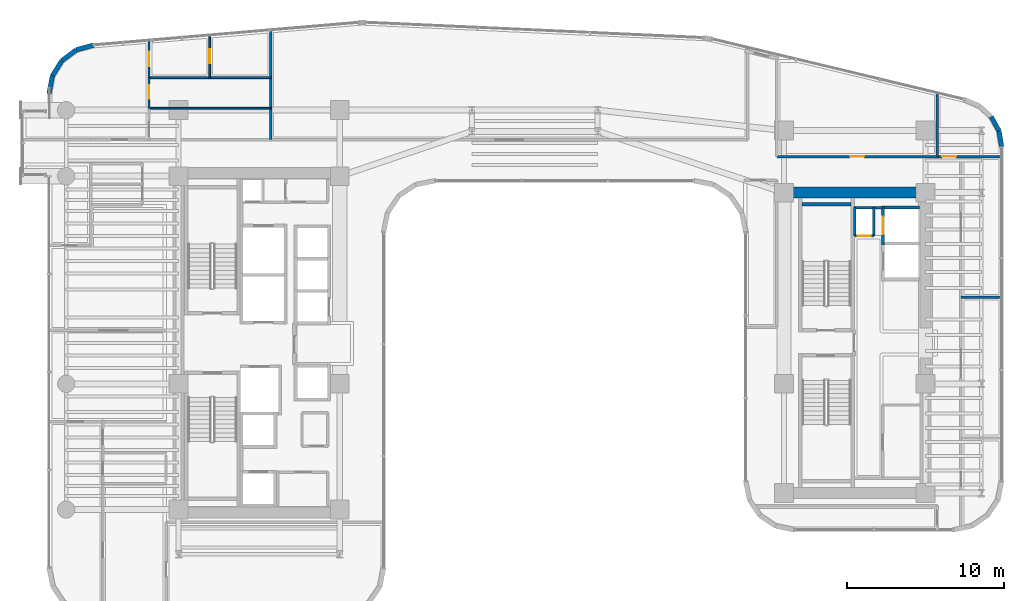
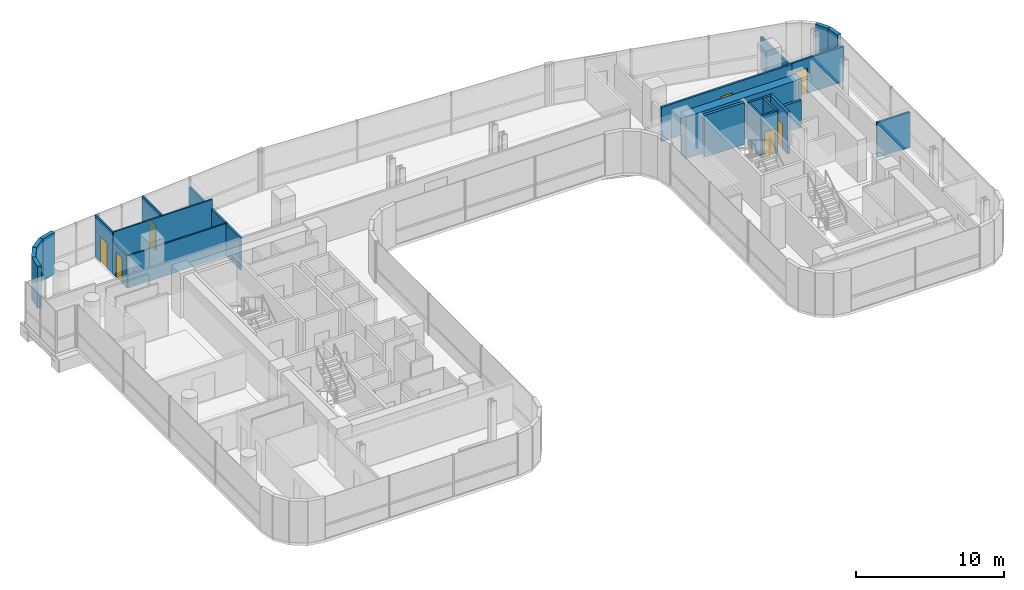
# One storey, part 30 of 35: 24 walls, 7 doors, 7 openings.
"""IFC4 building model written with IfcOpenShell, lengths in metres."""

from ifc_helpers import new_model, si_unit, direction, frame, frame_2d, origin, place, context, subcontext, project, spatial, rectangle, extrude, material, layer, layer_set, type_object, element, fill, save


model = new_model("IFC4")

# Units and contexts
model_context = context("Model", 3, precision=1e-05, world=origin(), true_north=direction((0.0, 1.0)))
body_context = subcontext(model_context, "Body", "Model", "MODEL_VIEW")
ifc_project = project(units=[si_unit("LENGTHUNIT", "METRE"), si_unit("AREAUNIT", "SQUARE_METRE"), si_unit("VOLUMEUNIT", "CUBIC_METRE"), si_unit("PLANEANGLEUNIT", "RADIAN"), si_unit("MASSUNIT", "GRAM", prefix="KILO")], contexts=[model_context])

# Site, building, storey
site_placement = place(None, origin())
site = spatial("IfcSite", under=ifc_project, at=site_placement, CompositionType="ELEMENT")
building_placement = place(site_placement, origin())
building = spatial("IfcBuilding", under=site, at=building_placement, Name="Valdorenza Pilgrim Sanctuary Tower", CompositionType="ELEMENT")
storey_placement = place(building_placement, frame((0.0, 0.0, 150.10009765625)))
storey = spatial("IfcBuildingStorey", under=building, at=storey_placement, Name="L38", CompositionType="ELEMENT", Elevation=150.10009765625)

# Wall, opening, door
ifc_material_1 = material(Name="Acoustic twin-stud gypsum partition", Category="gypsum")
ifc_layer_1 = layer(ifc_material_1, 0.159912109375, Name="Acoustic twin-stud gypsum partition")
ifc_layer_set_1 = layer_set([ifc_layer_1], Name="Acoustic twin-stud gypsum partition")
wall_type_1 = type_object("IfcWallType", Name="WAL-COR-160", PredefinedType="PARTITIONING", material=ifc_layer_set_1)
wall_1_placement = place(storey_placement, frame((20.35009765625, 6.800048828125, 0.0), z_axis=(0.0, 0.0, 1.0), x_axis=(1.0, 0.0, 0.0)))
wall_1 = element("IfcWall", 1, at=wall_1_placement, inside=storey, type_object=wall_type_1, Name="L38 Core B Riser South Wall", PredefinedType="PARTITIONING", context=body_context, shape_type="SweptSolid", body=[
    extrude(rectangle(XDim=1.199951171875, YDim=0.159912109375, at=frame_2d((0.60009765625, 0.0))), origin(), (0.0, 0.0, 1.0), 3.4599609375),
])
opening_1_placement = place(wall_1_placement, frame((0.175048828125, 0.0, 0.0)))
opening_1 = element("IfcOpeningElement", 2, at=opening_1_placement, cuts=wall_1, Name="Opening DR-RS1", PredefinedType="OPENING", context=body_context, shape_type="SweptSolid", body=[
    extrude(rectangle(XDim=0.85009765625, YDim=2.050048828125, at=frame_2d((0.425048828125, 1.02490234375))), frame((0.0, 0.0947265625, 0.0), z_axis=(0.0, -1.0, 0.0), x_axis=(1.0, 0.0, 0.0)), (0.0, 0.0, 1.0), 0.189697265625),
])
ifc_material_2 = material(Name="Painted galvanized steel", Category="steel")
door_type_1 = type_object("IfcDoorType", Name="DR-RSR-850", OperationType="NOTDEFINED", PredefinedType="DOOR", material=ifc_material_2)
door_1_placement = place(opening_1_placement, origin())
door_1 = element("IfcDoor", 3, at=door_1_placement, inside=storey, type_object=door_type_1, Name="L38 Core B Electrical Riser Door", OperationType="SINGLE_SWING_LEFT", OverallHeight=2.050048828125, OverallWidth=0.85009765625, PredefinedType="DOOR", context=body_context, shape_type="SweptSolid", body=[
    extrude(rectangle(XDim=0.85009765625, YDim=2.050048828125, at=frame_2d((0.425048828125, 1.02490234375))), frame((0.0, 0.02490234375, 0.0), z_axis=(0.0, -1.0, 0.0), x_axis=(1.0, 0.0, 0.0)), (0.0, 0.0, 1.0), 0.050048828125),
])
fill(opening_1, door_1)

# Walls
for number, where, z_axis, x_axis, name in (
    (4, (21.550048828125, 6.800048828125, 0.0), (0.0, 0.0, 1.0), (0.0, 1.0, 0.0), "L38 Core B Riser East Wall"),
    (5, (20.35009765625, 6.800048828125, 0.0), (0.0, 0.0, 1.0), (0.0, 1.0, 0.0), "L38 Core B Riser West Wall"),
):
    element("IfcWall", number, at=place(storey_placement, frame(where, z_axis=z_axis, x_axis=x_axis)), inside=storey, type_object=wall_type_1, Name=name, PredefinedType="PARTITIONING", context=body_context, shape_type="SweptSolid", body=[
        extrude(rectangle(XDim=1.800048828125, YDim=0.159912109375, at=frame_2d((0.89990234375, 0.0))), origin(), (0.0, 0.0, 1.0), 3.4599609375),
    ])
wall_2_placement = place(storey_placement, frame((20.300048828125, 8.60009765625, 0.0), z_axis=(0.0, 0.0, 1.0), x_axis=(1.0, 0.0, 0.0)))
element("IfcWall", 6, at=wall_2_placement, inside=storey, type_object=wall_type_1, Name="L38 Core B Lift Hall North End Wall", PredefinedType="PARTITIONING", context=body_context, shape_type="SweptSolid", body=[
    extrude(rectangle(XDim=1.820068359375, YDim=0.159912109375, at=frame_2d((0.91015625, 0.0))), origin(), (0.0, 0.0, 1.0), 3.4599609375),
])

# Wall, opening, door
wall_3_placement = place(storey_placement, frame((15.39990234375, 11.85009765625, 0.0), z_axis=(0.0, 0.0, 1.0), x_axis=(1.0, 0.0, 0.0)))
wall_3 = element("IfcWall", 7, at=wall_3_placement, inside=storey, type_object=wall_type_1, Name="L38 Wing B North Corridor Wall", PredefinedType="PARTITIONING", context=body_context, shape_type="SweptSolid", body=[
    extrude(rectangle(XDim=10.2001953125, YDim=0.159912109375, at=frame_2d((5.10009765625, 0.0))), origin(), (0.0, 0.0, 1.0), 2.833984375),
])
opening_2_placement = place(wall_3_placement, frame((4.64990234375, 0.0, 0.0)))
opening_2 = element("IfcOpeningElement", 8, at=opening_2_placement, cuts=wall_3, Name="Opening DR-RM1", PredefinedType="OPENING", context=body_context, shape_type="SweptSolid", body=[
    extrude(rectangle(XDim=0.89990234375, YDim=2.10009765625, at=frame_2d((0.449951171875, 1.050048828125))), frame((0.0, 0.0947265625, 0.0), z_axis=(0.0, -1.0, 0.0), x_axis=(1.0, 0.0, 0.0)), (0.0, 0.0, 1.0), 0.189697265625),
])
ifc_material_3 = material(Name="Solid-core European oak timber", Category="wood")
door_type_2 = type_object("IfcDoorType", Name="DR-ROOM-900", OperationType="NOTDEFINED", PredefinedType="DOOR", material=ifc_material_3)
door_2_placement = place(opening_2_placement, origin())
door_2 = element("IfcDoor", 9, at=door_2_placement, inside=storey, type_object=door_type_2, Name="L38 Curator Research Office L38-BN1 Door", OperationType="SINGLE_SWING_RIGHT", OverallHeight=2.10009765625, OverallWidth=0.89990234375, PredefinedType="DOOR", context=body_context, shape_type="SweptSolid", body=[
    extrude(rectangle(XDim=0.89990234375, YDim=2.10009765625, at=frame_2d((0.449951171875, 1.050048828125))), frame((0.0, 0.02490234375, 0.0), z_axis=(0.0, -1.0, 0.0), x_axis=(1.0, 0.0, 0.0)), (0.0, 0.0, 1.0), 0.050048828125),
])
fill(opening_2, door_2)

# Wall
wall_4_placement = place(storey_placement, frame((25.60009765625, 11.85009765625, 0.0), z_axis=(0.0, 0.0, 1.0), x_axis=(0.0, 1.0, 0.0)))
element("IfcWall", 10, at=wall_4_placement, inside=storey, type_object=wall_type_1, Name="L38 Wing B North East Wall", PredefinedType="PARTITIONING", context=body_context, shape_type="SweptSolid", body=[
    extrude(rectangle(XDim=4.042236328125, YDim=0.159912109375, at=frame_2d((2.02099609375, 0.0))), origin(), (0.0, 0.0, 1.0), 2.666015625),
])

# Wall, opening, door
wall_5_placement = place(storey_placement, frame((25.60009765625, 11.85009765625, 0.0), z_axis=(0.0, 0.0, 1.0), x_axis=(1.0, 0.0, 0.0)))
wall_5 = element("IfcWall", 11, at=wall_5_placement, inside=storey, type_object=wall_type_1, Name="L38 East Wing NE Corner South Wall", PredefinedType="PARTITIONING", context=body_context, shape_type="SweptSolid", body=[
    extrude(rectangle(XDim=4.08984375, YDim=0.159912109375, at=frame_2d((2.044921875, 0.0))), origin(), (0.0, 0.0, 1.0), 2.89599609375),
])
opening_3_placement = place(wall_5_placement, frame((0.300048828125, 0.0, 0.0)))
opening_3 = element("IfcOpeningElement", 12, at=opening_3_placement, cuts=wall_5, Name="Opening DR-RM1", PredefinedType="OPENING", context=body_context, shape_type="SweptSolid", body=[
    extrude(rectangle(XDim=0.89990234375, YDim=2.10009765625, at=frame_2d((0.449951171875, 1.050048828125))), frame((0.0, 0.0947265625, 0.0), z_axis=(0.0, -1.0, 0.0), x_axis=(1.0, 0.0, 0.0)), (0.0, 0.0, 1.0), 0.189697265625),
])
door_3_placement = place(opening_3_placement, origin())
door_3 = element("IfcDoor", 13, at=door_3_placement, inside=storey, type_object=door_type_2, Name="L38 East North Alcove Office L38 Door", OperationType="SINGLE_SWING_RIGHT", OverallHeight=2.10009765625, OverallWidth=0.89990234375, PredefinedType="DOOR", context=body_context, shape_type="SweptSolid", body=[
    extrude(rectangle(XDim=0.89990234375, YDim=2.10009765625, at=frame_2d((0.449951171875, 1.050048828125))), frame((0.0, 0.02490234375, 0.0), z_axis=(0.0, -1.0, 0.0), x_axis=(1.0, 0.0, 0.0)), (0.0, 0.0, 1.0), 0.050048828125),
])
fill(opening_3, door_3)

# Walls
ifc_material_4 = material(Name="Concrete C60/75", Category="concrete")
ifc_layer_2 = layer(ifc_material_4, 0.699951171875, Name="Concrete C60/75")
ifc_layer_set_2 = layer_set([ifc_layer_2], Name="Concrete C60/75")
wall_type_2 = type_object("IfcWallType", Name="WAL-COR-700", PredefinedType="SHEAR", material=ifc_layer_set_2)
wall_6_placement = place(storey_placement, frame((15.85009765625, 9.550048828125, 0.0), z_axis=(0.0, 0.0, 1.0), x_axis=(1.0, 0.0, 0.0)))
element("IfcWall", 14, at=wall_6_placement, inside=storey, type_object=wall_type_2, Name="L38 Split Core B Shear Wall N", PredefinedType="SHEAR", context=body_context, shape_type="SweptSolid", body=[
    extrude(rectangle(XDim=9.0, YDim=0.699951171875, at=frame_2d((4.5, 0.0))), origin(), (0.0, 0.0, 1.0), 3.4599609375),
])
ifc_material_5 = material(Name="Honed travertine limestone", Category="masonry")
ifc_layer_3 = layer(ifc_material_5, 0.300048828125, Name="Honed travertine limestone")
ifc_layer_set_3 = layer_set([ifc_layer_3], Name="Honed travertine limestone")
wall_type_3 = type_object("IfcWallType", Name="WAL-EXT-300", PredefinedType="SOLIDWALL", material=ifc_layer_set_3)
wall_7_placement = place(storey_placement, frame((-30.889892578125, 15.850341796875, 0.0), z_axis=(0.0, 0.0, 1.0), x_axis=(0.184557499391, 0.982821718023, 0.0)))
element("IfcWall", 15, at=wall_7_placement, inside=storey, type_object=wall_type_3, Name="L38 Rounded Wind-Corner Stone Pier 2", PredefinedType="SOLIDWALL", context=body_context, shape_type="SweptSolid", body=[
    extrude(rectangle(XDim=1.15087890625, YDim=0.300048828125, at=frame_2d((0.575439453125, 0.0))), origin(), (0.0, 0.0, 1.0), 3.4599609375),
])
wall_8_placement = place(storey_placement, frame((-30.677490234375, 16.9814453125, 0.0), z_axis=(0.0, 0.0, 1.0), x_axis=(0.52880576008, 0.848742875143, 0.0)))
element("IfcWall", 16, at=wall_8_placement, inside=storey, type_object=wall_type_3, Name="L38 Rounded Wind-Corner Stone Pier 3", PredefinedType="SOLIDWALL", context=body_context, shape_type="SweptSolid", body=[
    extrude(rectangle(XDim=1.140869140625, YDim=0.300048828125, at=frame_2d((0.5703125, 0.0))), origin(), (0.0, 0.0, 1.0), 3.4599609375),
])
wall_9_placement = place(storey_placement, frame((-30.07421875, 17.94970703125, 0.0), z_axis=(0.0, 0.0, 1.0), x_axis=(0.800975009324, 0.598697782223, 0.0)))
element("IfcWall", 17, at=wall_9_placement, inside=storey, type_object=wall_type_3, Name="L38 Rounded Wind-Corner Stone Pier 4", PredefinedType="SOLIDWALL", context=body_context, shape_type="SweptSolid", body=[
    extrude(rectangle(XDim=1.140625, YDim=0.300048828125, at=frame_2d((0.5703125, 0.0))), origin(), (0.0, 0.0, 1.0), 3.4599609375),
])
wall_10_placement = place(storey_placement, frame((-29.16064453125, 18.632568359375, 0.0), z_axis=(0.0, 0.0, 1.0), x_axis=(0.963624193367, 0.267260947313, 0.0)))
element("IfcWall", 18, at=wall_10_placement, inside=storey, type_object=wall_type_3, Name="L38 Rounded Wind-Corner Stone Pier 5", PredefinedType="SOLIDWALL", context=body_context, shape_type="SweptSolid", body=[
    extrude(rectangle(XDim=1.15087890625, YDim=0.300048828125, at=frame_2d((0.575439453125, 0.0))), origin(), (0.0, 0.0, 1.0), 3.4599609375),
])
wall_11_placement = place(storey_placement, frame((29.024658203125, 14.388427734375, 0.0), z_axis=(0.0, 0.0, 1.0), x_axis=(0.480284137298, -0.87711296163, 0.0)))
element("IfcWall", 19, at=wall_11_placement, inside=storey, type_object=wall_type_3, Name="L38 Rounded Wind-Corner Stone Pier 19", PredefinedType="SOLIDWALL", context=body_context, shape_type="SweptSolid", body=[
    extrude(rectangle(XDim=1.02685546875, YDim=0.300048828125, at=frame_2d((0.513427734375, 0.0))), origin(), (0.0, 0.0, 1.0), 3.4599609375),
])
wall_12_placement = place(storey_placement, frame((29.517822265625, 13.48779296875, 0.0), z_axis=(0.0, 0.0, 1.0), x_axis=(0.166156796952, -0.986099345313, 0.0)))
element("IfcWall", 20, at=wall_12_placement, inside=storey, type_object=wall_type_3, Name="L38 Rounded Wind-Corner Stone Pier 20", PredefinedType="SOLIDWALL", context=body_context, shape_type="SweptSolid", body=[
    extrude(rectangle(XDim=1.035888671875, YDim=0.300048828125, at=frame_2d((0.51806640625, 0.0))), origin(), (0.0, 0.0, 1.0), 3.4599609375),
])
ifc_material_6 = material(Name="Moisture-resistant gypsum partition", Category="gypsum")
ifc_layer_4 = layer(ifc_material_6, 0.1201171875, Name="Moisture-resistant gypsum partition")
ifc_layer_set_4 = layer_set([ifc_layer_4], Name="Moisture-resistant gypsum partition")
wall_type_4 = type_object("IfcWallType", Name="WAL-INT-120", PredefinedType="PARTITIONING", material=ifc_layer_set_4)
wall_13_placement = place(storey_placement, frame((-24.532958984375, 14.919921875, 0.0), z_axis=(0.0, 0.0, 1.0), x_axis=(1.0, 0.0, 0.0)))
element("IfcWall", 21, at=wall_13_placement, inside=storey, type_object=wall_type_4, Name="L38 North Grand Residence L38-N1 Bath-Kitchen Wall", PredefinedType="PARTITIONING", context=body_context, shape_type="SweptSolid", body=[
    extrude(rectangle(XDim=7.73291015625, YDim=0.1201171875, at=frame_2d((3.866455078125, 0.0))), origin(), (0.0, 0.0, 1.0), 2.666015625),
])
wall_14_placement = place(storey_placement, frame((-24.532958984375, 16.8701171875, 0.0), z_axis=(0.0, 0.0, 1.0), x_axis=(1.0, 0.0, 0.0)))
element("IfcWall", 22, at=wall_14_placement, inside=storey, type_object=wall_type_4, Name="L38 North Grand Residence L38-N1 Kitchen-Bedroom Wall", PredefinedType="PARTITIONING", context=body_context, shape_type="SweptSolid", body=[
    extrude(rectangle(XDim=7.73291015625, YDim=0.1201171875, at=frame_2d((3.866455078125, 0.0))), origin(), (0.0, 0.0, 1.0), 3.4599609375),
])

# Wall, opening, door
wall_15_placement = place(storey_placement, frame((-24.532958984375, 14.919921875, 0.0), z_axis=(0.0, 0.0, 1.0), x_axis=(0.0, 1.0, 0.0)))
wall_15 = element("IfcWall", 23, at=wall_15_placement, inside=storey, type_object=wall_type_4, Name="L38 North Grand Residence L38-N1 Bathroom Door Wall", PredefinedType="PARTITIONING", context=body_context, shape_type="SweptSolid", body=[
    extrude(rectangle(XDim=1.9501953125, YDim=0.1201171875, at=frame_2d((0.97509765625, 0.0))), origin(), (0.0, 0.0, 1.0), 2.666015625),
])
opening_4_placement = place(wall_15_placement, frame((0.6201171875, 0.0, 0.0)))
opening_4 = element("IfcOpeningElement", 24, at=opening_4_placement, cuts=wall_15, Name="Opening DR-WC1", PredefinedType="OPENING", context=body_context, shape_type="SweptSolid", body=[
    extrude(rectangle(XDim=0.85009765625, YDim=2.10009765625, at=frame_2d((0.425048828125, 1.050048828125))), frame((0.0, 0.074951171875, 0.0), z_axis=(0.0, -1.0, 0.0), x_axis=(1.0, 0.0, 0.0)), (0.0, 0.0, 1.0), 0.14990234375),
])
ifc_material_7 = material(Name="Moisture-resistant lacquered timber", Category="wood")
door_type_3 = type_object("IfcDoorType", Name="DR-BATH-850", OperationType="NOTDEFINED", PredefinedType="DOOR", material=ifc_material_7)
door_4_placement = place(opening_4_placement, origin())
door_4 = element("IfcDoor", 25, at=door_4_placement, inside=storey, type_object=door_type_3, Name="L38 North Grand Residence L38-N1 Bathroom Door", OperationType="SINGLE_SWING_LEFT", OverallHeight=2.10009765625, OverallWidth=0.85009765625, PredefinedType="DOOR", context=body_context, shape_type="SweptSolid", body=[
    extrude(rectangle(XDim=0.85009765625, YDim=2.10009765625, at=frame_2d((0.425048828125, 1.050048828125))), frame((0.0, 0.02490234375, 0.0), z_axis=(0.0, -1.0, 0.0), x_axis=(1.0, 0.0, 0.0)), (0.0, 0.0, 1.0), 0.050048828125),
])
fill(opening_4, door_4)

wall_16_placement = place(storey_placement, frame((-24.532958984375, 16.8701171875, 0.0), z_axis=(0.0, 0.0, 1.0), x_axis=(0.0, 1.0, 0.0)))
wall_16 = element("IfcWall", 26, at=wall_16_placement, inside=storey, type_object=wall_type_4, Name="L38 North Grand Residence L38-N1 Bedroom Door Wall", PredefinedType="PARTITIONING", context=body_context, shape_type="SweptSolid", body=[
    extrude(rectangle(XDim=2.369140625, YDim=0.1201171875, at=frame_2d((1.1845703125, 0.0))), origin(), (0.0, 0.0, 1.0), 3.4599609375),
])
opening_5_placement = place(wall_16_placement, frame((0.735107421875, 0.0, 0.0)))
opening_5 = element("IfcOpeningElement", 27, at=opening_5_placement, cuts=wall_16, Name="Opening DR-RM1", PredefinedType="OPENING", context=body_context, shape_type="SweptSolid", body=[
    extrude(rectangle(XDim=0.89990234375, YDim=2.10009765625, at=frame_2d((0.449951171875, 1.050048828125))), frame((0.0, 0.074951171875, 0.0), z_axis=(0.0, -1.0, 0.0), x_axis=(1.0, 0.0, 0.0)), (0.0, 0.0, 1.0), 0.14990234375),
])
door_5_placement = place(opening_5_placement, frame((0.89990234375, 0.0, 0.0), z_axis=(0.0, 0.0, 1.0), x_axis=(-1.0, 0.0, 0.0)))
door_5 = element("IfcDoor", 28, at=door_5_placement, inside=storey, type_object=door_type_2, Name="L38 North Grand Residence L38-N1 Bedroom 1 Door", OperationType="SINGLE_SWING_LEFT", OverallHeight=2.10009765625, OverallWidth=0.89990234375, PredefinedType="DOOR", context=body_context, shape_type="SweptSolid", body=[
    extrude(rectangle(XDim=0.89990234375, YDim=2.10009765625, at=frame_2d((0.449951171875, 1.050048828125))), frame((0.0, 0.02490234375, 0.0), z_axis=(0.0, -1.0, 0.0), x_axis=(1.0, 0.0, 0.0)), (0.0, 0.0, 1.0), 0.050048828125),
])
fill(opening_5, door_5)

wall_17_placement = place(storey_placement, frame((-20.66650390625, 16.8701171875, 0.0), z_axis=(0.0, 0.0, 1.0), x_axis=(0.0, 1.0, 0.0)))
wall_17 = element("IfcWall", 29, at=wall_17_placement, inside=storey, type_object=wall_type_4, Name="L38 North Grand Residence L38-N1 Bedroom 2 Wall", PredefinedType="PARTITIONING", context=body_context, shape_type="SweptSolid", body=[
    extrude(rectangle(XDim=2.697998046875, YDim=0.1201171875, at=frame_2d((1.34912109375, 0.0))), origin(), (0.0, 0.0, 1.0), 3.4599609375),
])
opening_6_placement = place(wall_17_placement, frame((0.89990234375, 0.0, 0.0)))
opening_6 = element("IfcOpeningElement", 30, at=opening_6_placement, cuts=wall_17, Name="Opening DR-RM1", PredefinedType="OPENING", context=body_context, shape_type="SweptSolid", body=[
    extrude(rectangle(XDim=0.89990234375, YDim=2.10009765625, at=frame_2d((0.449951171875, 1.050048828125))), frame((0.0, 0.074951171875, 0.0), z_axis=(0.0, -1.0, 0.0), x_axis=(1.0, 0.0, 0.0)), (0.0, 0.0, 1.0), 0.14990234375),
])
door_6_placement = place(opening_6_placement, origin())
door_6 = element("IfcDoor", 31, at=door_6_placement, inside=storey, type_object=door_type_2, Name="L38 North Grand Residence L38-N1 Bedroom 2 Door", OperationType="SINGLE_SWING_RIGHT", OverallHeight=2.10009765625, OverallWidth=0.89990234375, PredefinedType="DOOR", context=body_context, shape_type="SweptSolid", body=[
    extrude(rectangle(XDim=0.89990234375, YDim=2.10009765625, at=frame_2d((0.449951171875, 1.050048828125))), frame((0.0, 0.02490234375, 0.0), z_axis=(0.0, -1.0, 0.0), x_axis=(1.0, 0.0, 0.0)), (0.0, 0.0, 1.0), 0.050048828125),
])
fill(opening_6, door_6)

ifc_material_8 = material(Name="Autoclaved aerated concrete blockwork", Category="masonry")
ifc_layer_5 = layer(ifc_material_8, 0.199951171875, Name="Autoclaved aerated concrete blockwork")
ifc_layer_set_5 = layer_set([ifc_layer_5], Name="Autoclaved aerated concrete blockwork")
wall_type_5 = type_object("IfcWallType", Name="WAL-SHF-200", PredefinedType="MOVABLE", material=ifc_layer_set_5)
wall_18_placement = place(storey_placement, frame((22.14990234375, 6.22509765625, 0.0), z_axis=(0.0, 0.0, 1.0), x_axis=(0.0, 1.0, 0.0)))
wall_18 = element("IfcWall", 32, at=wall_18_placement, inside=storey, type_object=wall_type_5, Name="L38 Lift PL-08 Hoistway Wall West", PredefinedType="MOVABLE", context=body_context, shape_type="SweptSolid", body=[
    extrude(rectangle(XDim=2.474853515625, YDim=0.199951171875, at=frame_2d((1.2373046875, 0.0))), origin(), (0.0, 0.0, 1.0), 3.4599609375),
])
opening_7_placement = place(wall_18_placement, frame((0.6875, 0.0, 0.0)))
opening_7 = element("IfcOpeningElement", 33, at=opening_7_placement, cuts=wall_18, Name="Opening LD-01", PredefinedType="OPENING", context=body_context, shape_type="SweptSolid", body=[
    extrude(rectangle(XDim=1.10009765625, YDim=2.10009765625, at=frame_2d((0.550048828125, 1.050048828125))), frame((0.0, 0.11474609375, 0.0), z_axis=(0.0, -1.0, 0.0), x_axis=(1.0, 0.0, 0.0)), (0.0, 0.0, 1.0), 0.229736328125),
])
ifc_material_9 = material(Name="Brushed stainless steel Grade 316", Category="steel")
door_type_4 = type_object("IfcDoorType", Name="DR-LFT-1100", OperationType="DOUBLE_DOOR_SLIDING", PredefinedType="DOOR", material=ifc_material_9)
door_7_placement = place(opening_7_placement, origin())
door_7 = element("IfcDoor", 34, at=door_7_placement, inside=storey, type_object=door_type_4, Name="L38 Lift PL-08 Sliding Landing Door", OperationType="DOUBLE_DOOR_SLIDING", OverallHeight=2.10009765625, OverallWidth=1.10009765625, PredefinedType="DOOR", context=body_context, shape_type="SweptSolid", body=[
    extrude(rectangle(XDim=1.10009765625, YDim=2.10009765625, at=frame_2d((0.550048828125, 1.050048828125))), frame((0.0, 0.02490234375, 0.0), z_axis=(0.0, -1.0, 0.0), x_axis=(1.0, 0.0, 0.0)), (0.0, 0.0, 1.0), 0.050048828125),
])
fill(opening_7, door_7)

# Walls
wall_19_placement = place(storey_placement, frame((22.25, 8.60009765625, 0.0), z_axis=(0.0, 0.0, 1.0), x_axis=(1.0, 0.0, 0.0)))
element("IfcWall", 35, at=wall_19_placement, inside=storey, type_object=wall_type_5, Name="L38 Lift PL-08 Hoistway Wall North", PredefinedType="MOVABLE", context=body_context, shape_type="SweptSolid", body=[
    extrude(rectangle(XDim=2.22998046875, YDim=0.199951171875, at=frame_2d((1.114990234375, 0.0))), origin(), (0.0, 0.0, 1.0), 2.244873046875),
])
ifc_material_10 = material(Name="Concrete C40/50", Category="concrete")
ifc_layer_6 = layer(ifc_material_10, 0.219970703125, Name="Concrete C40/50")
ifc_layer_set_6 = layer_set([ifc_layer_6], Name="Concrete C40/50")
wall_type_6 = type_object("IfcWallType", Name="WAL-STR-SHF-220", PredefinedType="SHEAR", material=ifc_layer_set_6)
wall_20_placement = place(storey_placement, frame((17.0, 8.81005859375, 0.0), z_axis=(0.0, 0.0, 1.0), x_axis=(1.0, 0.0, 0.0)))
element("IfcWall", 36, at=wall_20_placement, inside=storey, type_object=wall_type_6, Name="L38 ST-B1 Structural Stairwell Wall N", PredefinedType="SHEAR", context=body_context, shape_type="SweptSolid", body=[
    extrude(rectangle(XDim=3.110107421875, YDim=0.219970703125, at=frame_2d((1.55517578125, 0.0))), origin(), (0.0, 0.0, 1.0), 3.4599609375),
])
ifc_layer_7 = layer(ifc_material_1, 0.14990234375, Name="Acoustic twin-stud gypsum partition")
ifc_layer_set_7 = layer_set([ifc_layer_7], Name="Acoustic twin-stud gypsum partition")
wall_type_7 = type_object("IfcWallType", Name="WAL-UNT-150", PredefinedType="PARTITIONING", material=ifc_layer_set_7)
wall_21_placement = place(storey_placement, frame((-16.800048828125, 12.919921875, 0.0), z_axis=(0.0, 0.0, 1.0), x_axis=(0.0, 1.0, 0.0)))
element("IfcWall", 37, at=wall_21_placement, inside=storey, type_object=wall_type_7, Name="L38 North Residence Split", PredefinedType="PARTITIONING", context=body_context, shape_type="SweptSolid", body=[
    extrude(rectangle(XDim=6.9765625, YDim=0.14990234375, at=frame_2d((3.48828125, 0.0))), origin(), (0.0, 0.0, 1.0), 2.666015625),
])
wall_22_placement = place(storey_placement, frame((27.10009765625, 2.89990234375, 0.0), z_axis=(0.0, 0.0, 1.0), x_axis=(1.0, 0.0, 0.0)))
element("IfcWall", 38, at=wall_22_placement, inside=storey, type_object=wall_type_7, Name="L38 East Reading Lounge L38-EB3 Demising Wall", PredefinedType="PARTITIONING", context=body_context, shape_type="SweptSolid", body=[
    extrude(rectangle(XDim=2.58984375, YDim=0.14990234375, at=frame_2d((1.294921875, 0.0))), origin(), (0.0, 0.0, 1.0), 2.89599609375),
])

save(model, "model.ifc")
